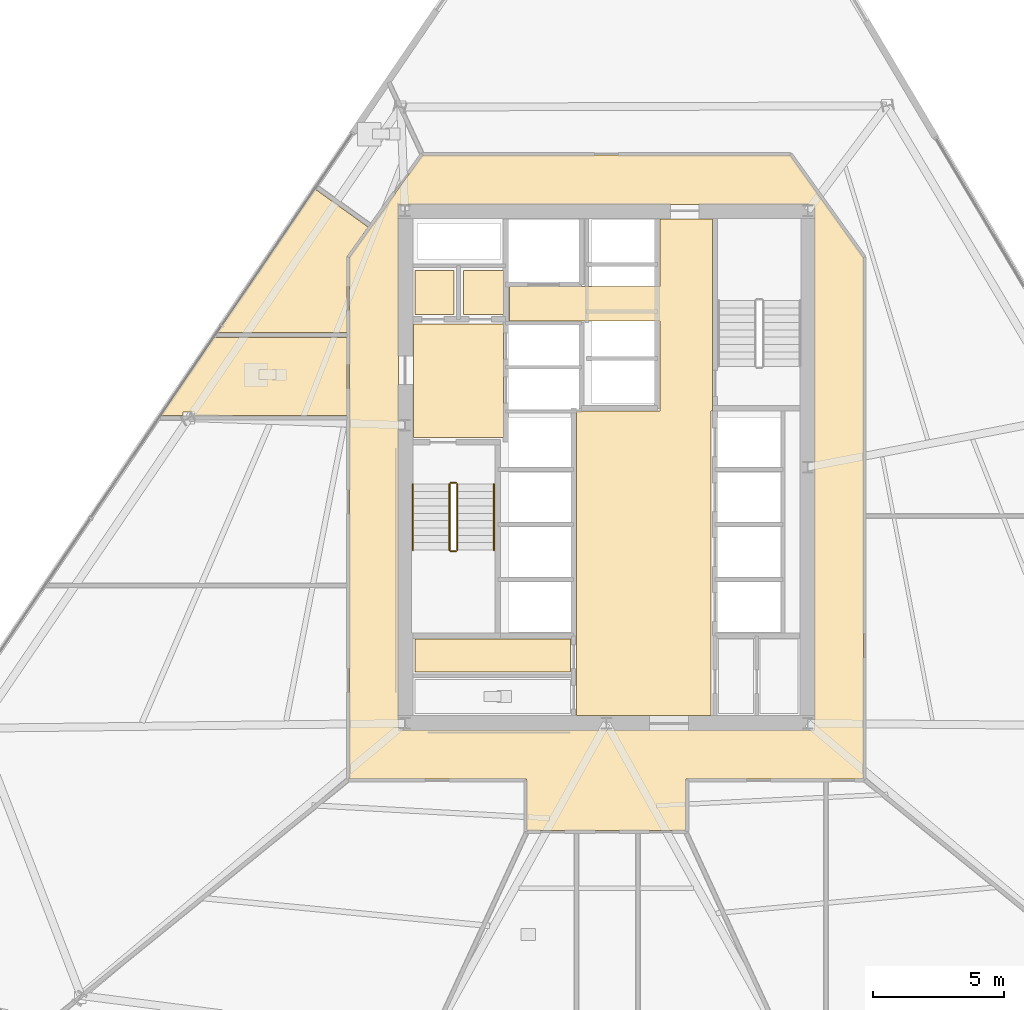
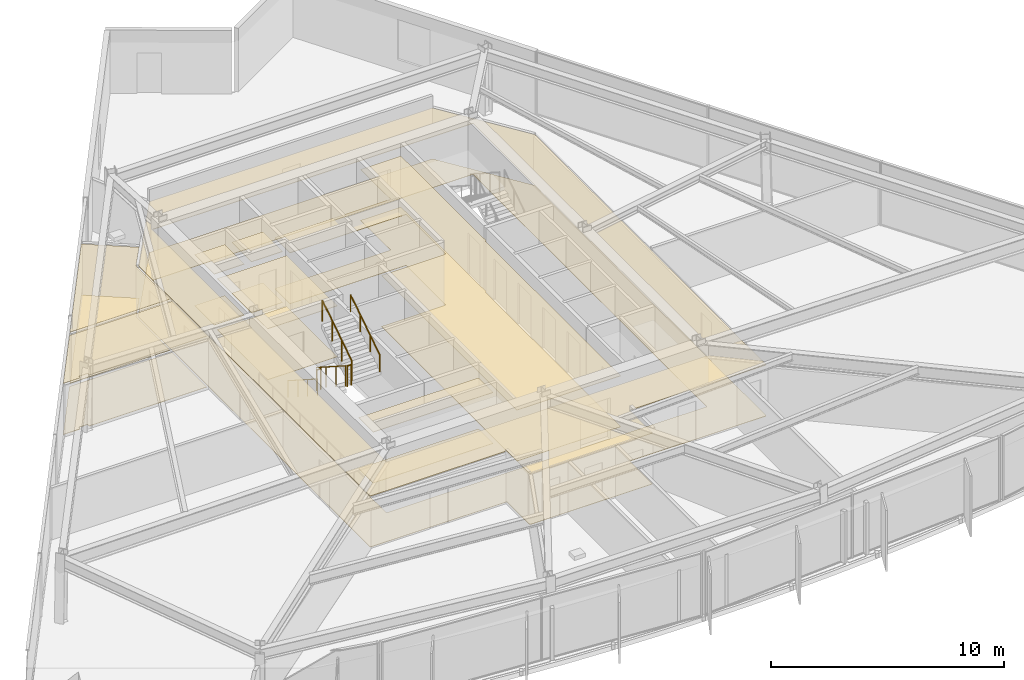
# One storey, part 14 of 18: 16 coverings, 6 railings.
"""IFC4 building model written with IfcOpenShell, lengths in metres."""

from ifc_helpers import new_model, si_unit, direction, frame, origin, origin_2d, place, context, subcontext, project, spatial, polyline, circle, outline, extrude, material, layer, layer_set, type_object, element, save


model = new_model("IFC4")

# Units and contexts
model_context = context("Model", 3, precision=1e-05, world=origin(), true_north=direction((0.0, 1.0)))
body_context = subcontext(model_context, "Body", "Model", "MODEL_VIEW")
ifc_project = project(units=[si_unit("LENGTHUNIT", "METRE"), si_unit("AREAUNIT", "SQUARE_METRE"), si_unit("VOLUMEUNIT", "CUBIC_METRE"), si_unit("PLANEANGLEUNIT", "RADIAN"), si_unit("MASSUNIT", "GRAM", prefix="KILO")], contexts=[model_context])

# Site, building, storey
site_placement = place(None, origin())
site = spatial("IfcSite", under=ifc_project, at=site_placement, CompositionType="ELEMENT")
building_placement = place(site_placement, origin())
building = spatial("IfcBuilding", under=site, at=building_placement, Name="Savorim Split Tower", CompositionType="ELEMENT")
storey_placement = place(building_placement, frame((0.0, 0.0, 37.199951171875)))
storey = spatial("IfcBuildingStorey", under=building, at=storey_placement, Name="L09", CompositionType="ELEMENT", Elevation=37.199951171875)

# Coverings
ifc_material_1 = material(Name="Mineral Fibre Acoustic Ceiling")
ifc_layer_1 = layer(ifc_material_1, 0.02490234375)
ifc_layer_set_1 = layer_set([ifc_layer_1], Name="COV-CEIL-25")
covering_type_1 = type_object("IfcCoveringType", Name="COV-CEIL-25", PredefinedType="CEILING", material=ifc_layer_set_1)
covering_1_placement = place(storey_placement, frame((0.0, 0.0, 2.670166015625)))
element("IfcCovering", 1, at=covering_1_placement, inside=storey, type_object=covering_type_1, Name="L09 Firefighting Lift Lobby Acoustic Ceiling", PredefinedType="CEILING", context=body_context, shape_type="SweptSolid", body=[
    extrude(outline(polyline([(-7.3798828125, 5.8701171875), (-7.3798828125, 1.530029296875), (-3.929931640625, 1.530029296875), (-3.929931640625, 5.8701171875), (-7.3798828125, 5.8701171875)])), origin(), (0.0, 0.0, 1.0), 0.02490234375),
])
covering_2_placement = place(storey_placement, frame((0.0, 0.0, 2.670166015625)))
element("IfcCovering", 2, at=covering_2_placement, inside=storey, type_object=covering_type_1, Name="L09 Electrical Riser Acoustic Ceiling", PredefinedType="CEILING", context=body_context, shape_type="SweptSolid", body=[
    extrude(outline(polyline([(-7.320068359375, 7.919921875), (-7.320068359375, 6.22998046875), (-5.830078125, 6.22998046875), (-5.830078125, 7.919921875), (-7.320068359375, 7.919921875)])), origin(), (0.0, 0.0, 1.0), 0.02490234375),
])
covering_3_placement = place(storey_placement, frame((0.0, 0.0, 2.670166015625)))
element("IfcCovering", 3, at=covering_3_placement, inside=storey, type_object=covering_type_1, Name="L09 Telecom Riser Acoustic Ceiling", PredefinedType="CEILING", context=body_context, shape_type="SweptSolid", body=[
    extrude(outline(polyline([(-5.469970703125, 7.919921875), (-5.469970703125, 6.22998046875), (-3.929931640625, 6.22998046875), (-3.929931640625, 7.919921875), (-5.469970703125, 7.919921875)])), origin(), (0.0, 0.0, 1.0), 0.02490234375),
])
covering_4_placement = place(storey_placement, frame((0.0, 0.0, 2.670166015625)))
element("IfcCovering", 4, at=covering_4_placement, inside=storey, type_object=covering_type_1, Name="L09 Lift Lobby Acoustic Ceiling", PredefinedType="CEILING", context=body_context, shape_type="SweptSolid", body=[
    extrude(outline(polyline([(2.050048828125, 2.550048828125), (-1.14990234375, 2.550048828125), (-1.14990234375, -9.10009765625), (4.0, -9.10009765625), (4.0, 2.550048828125), (4.050048828125, 2.550048828125), (4.050048828125, 5.97998046875), (4.050048828125, 7.300048828125), (4.050048828125, 9.8798828125), (2.050048828125, 9.8798828125), (2.050048828125, 7.300048828125), (-3.699951171875, 7.300048828125), (-3.699951171875, 5.97998046875), (2.050048828125, 5.97998046875), (2.050048828125, 2.550048828125)])), origin(), (0.0, 0.0, 1.0), 0.02490234375),
])
covering_5_placement = place(storey_placement, frame((0.0, 0.0, 2.670166015625)))
element("IfcCovering", 5, at=covering_5_placement, inside=storey, type_object=covering_type_1, Name="L09 Cleaning Store Acoustic Ceiling", PredefinedType="CEILING", context=body_context, shape_type="SweptSolid", body=[
    extrude(outline(polyline([(-7.320068359375, -6.179931640625), (-7.320068359375, -7.43994140625), (-1.3798828125, -7.43994140625), (-1.3798828125, -6.179931640625), (-7.320068359375, -6.179931640625)])), origin(), (0.0, 0.0, 1.0), 0.02490234375),
])
covering_6_placement = place(storey_placement, frame((0.0, 0.0, 2.670166015625)))
element("IfcCovering", 6, at=covering_6_placement, inside=storey, type_object=covering_type_1, Name="L09 Corridor Acoustic Ceiling", PredefinedType="CEILING", context=body_context, shape_type="SweptSolid", body=[
    extrude(outline(polyline([(7.009521484375, 12.3291015625), (7.004638671875, 12.329833984375), (7.0, 12.330078125), (-7.0, 12.330078125), (-7.004638671875, 12.329833984375), (-7.009521484375, 12.3291015625), (-7.013916015625, 12.327880859375), (-7.0185546875, 12.326416015625), (-7.022705078125, 12.324462890625), (-7.027099609375, 12.322021484375), (-7.03076171875, 12.3193359375), (-7.034423828125, 12.31640625), (-7.03759765625, 12.312744140625), (-7.04052734375, 12.30908203125), (-9.820556640625, 8.42919921875), (-9.823486328125, 8.4248046875), (-9.82568359375, 8.420166015625), (-9.82763671875, 8.415283203125), (-9.828857421875, 8.410400390625), (-9.82958984375, 8.4052734375), (-9.830078125, 8.39990234375), (-9.830078125, -11.47998046875), (-9.829833984375, -11.48486328125), (-9.8291015625, -11.48974609375), (-9.827880859375, -11.494384765625), (-9.826171875, -11.4990234375), (-9.82421875, -11.503662109375), (-9.821533203125, -11.5078125), (-9.818603515625, -11.51171875), (-9.8154296875, -11.515380859375), (-9.811767578125, -11.518798828125), (-9.807861328125, -11.521484375), (-9.8037109375, -11.524169921875), (-9.799072265625, -11.526123046875), (-9.79443359375, -11.52783203125), (-9.789794921875, -11.529052734375), (-9.784912109375, -11.52978515625), (-9.780029296875, -11.530029296875), (-3.050048828125, -11.530029296875), (-3.050048828125, -13.449951171875), (-3.0498046875, -13.454833984375), (-3.049072265625, -13.459716796875), (-3.0478515625, -13.464599609375), (-3.046142578125, -13.468994140625), (-3.044189453125, -13.4736328125), (-3.04150390625, -13.477783203125), (-3.038818359375, -13.481689453125), (-3.035400390625, -13.4853515625), (-3.03173828125, -13.48876953125), (-3.02783203125, -13.49169921875), (-3.023681640625, -13.494140625), (-3.01904296875, -13.49609375), (-3.014404296875, -13.497802734375), (-3.009765625, -13.4990234375), (-3.0048828125, -13.499755859375), (-3.0, -13.5), (3.0, -13.5), (3.0048828125, -13.499755859375), (3.009765625, -13.4990234375), (3.014404296875, -13.497802734375), (3.01904296875, -13.49609375), (3.023681640625, -13.494140625), (3.02783203125, -13.49169921875), (3.03173828125, -13.48876953125), (3.035400390625, -13.4853515625), (3.038818359375, -13.481689453125), (3.04150390625, -13.477783203125), (3.044189453125, -13.4736328125), (3.046142578125, -13.468994140625), (3.0478515625, -13.464599609375), (3.049072265625, -13.459716796875), (3.0498046875, -13.454833984375), (3.050048828125, -13.449951171875), (3.050048828125, -11.530029296875), (9.780029296875, -11.530029296875), (9.784912109375, -11.52978515625), (9.789794921875, -11.529052734375), (9.79443359375, -11.52783203125), (9.799072265625, -11.526123046875), (9.8037109375, -11.524169921875), (9.807861328125, -11.521484375), (9.811767578125, -11.518798828125), (9.8154296875, -11.515380859375), (9.818603515625, -11.51171875), (9.821533203125, -11.5078125), (9.82421875, -11.503662109375), (9.826171875, -11.4990234375), (9.827880859375, -11.494384765625), (9.8291015625, -11.48974609375), (9.829833984375, -11.48486328125), (9.830078125, -11.47998046875), (9.830078125, 8.39990234375), (9.82958984375, 8.4052734375), (9.828857421875, 8.410400390625), (9.82763671875, 8.415283203125), (9.82568359375, 8.420166015625), (9.823486328125, 8.4248046875), (9.820556640625, 8.42919921875), (7.04052734375, 12.30908203125), (7.03759765625, 12.312744140625), (7.034423828125, 12.31640625), (7.03076171875, 12.3193359375), (7.027099609375, 12.322021484375), (7.022705078125, 12.324462890625), (7.0185546875, 12.326416015625), (7.013916015625, 12.327880859375), (7.009521484375, 12.3291015625)]), holes=[polyline([(-7.949951171875, 10.449951171875), (-7.949951171875, -9.64990234375), (7.949951171875, -9.64990234375), (7.949951171875, 10.449951171875), (-7.949951171875, 10.449951171875)])]), origin(), (0.0, 0.0, 1.0), 0.02490234375),
])
covering_7_placement = place(storey_placement, frame((0.0, 0.0, 2.670166015625)))
element("IfcCovering", 7, at=covering_7_placement, inside=storey, type_object=covering_type_1, Name="L09 Co-Living Bedroom Acoustic Ceiling", PredefinedType="CEILING", context=body_context, shape_type="SweptSolid", body=[
    extrude(outline(polyline([(-9.908203125, 8.456298828125), (-9.901611328125, 8.46923828125), (-9.893798828125, 8.4814453125), (-9.109130859375, 9.57666015625), (-11.148681640625, 11.037841796875), (-14.8818359375, 5.550048828125), (-9.919921875, 5.550048828125), (-9.919921875, 8.39990234375), (-9.919189453125, 8.41455078125), (-9.9169921875, 8.4287109375), (-9.913330078125, 8.44287109375), (-9.908203125, 8.456298828125)])), origin(), (0.0, 0.0, 1.0), 0.02490234375),
])
covering_8_placement = place(storey_placement, frame((0.0, 0.0, 2.670166015625)))
element("IfcCovering", 8, at=covering_8_placement, inside=storey, type_object=covering_type_1, Name="L09 Shared Bathroom Acoustic Ceiling", PredefinedType="CEILING", context=body_context, shape_type="SweptSolid", body=[
    extrude(outline(polyline([(-15.756591796875, 2.506591796875), (-15.756591796875, 2.368408203125), (-9.919921875, 2.368408203125), (-9.919921875, 5.360107421875), (-15.010986328125, 5.360107421875), (-17.046142578125, 2.368408203125), (-16.192626953125, 2.368408203125), (-16.192626953125, 2.506591796875), (-15.756591796875, 2.506591796875)])), origin(), (0.0, 0.0, 1.0), 0.02490234375),
])
ifc_material_2 = material(Name="Porcelain Stoneware Flooring", Category="masonry")
ifc_layer_2 = layer(ifc_material_2, 0.02001953125)
ifc_layer_set_2 = layer_set([ifc_layer_2], Name="COV-FLOR-20")
covering_type_2 = type_object("IfcCoveringType", Name="COV-FLOR-20", PredefinedType="FLOORING", material=ifc_layer_set_2)
covering_9_placement = place(storey_placement, origin())
element("IfcCovering", 9, at=covering_9_placement, inside=storey, type_object=covering_type_2, Name="L09 Firefighting Lift Lobby Porcelain Flooring", PredefinedType="FLOORING", context=body_context, shape_type="SweptSolid", body=[
    extrude(outline(polyline([(-7.3798828125, 5.8701171875), (-7.3798828125, 1.530029296875), (-3.929931640625, 1.530029296875), (-3.929931640625, 5.8701171875), (-7.3798828125, 5.8701171875)])), origin(), (0.0, 0.0, 1.0), 0.02001953125),
])
covering_10_placement = place(storey_placement, origin())
element("IfcCovering", 10, at=covering_10_placement, inside=storey, type_object=covering_type_2, Name="L09 Electrical Riser Porcelain Flooring", PredefinedType="FLOORING", context=body_context, shape_type="SweptSolid", body=[
    extrude(outline(polyline([(-7.320068359375, 7.919921875), (-7.320068359375, 6.22998046875), (-5.830078125, 6.22998046875), (-5.830078125, 7.919921875), (-7.320068359375, 7.919921875)])), origin(), (0.0, 0.0, 1.0), 0.02001953125),
])
covering_11_placement = place(storey_placement, origin())
element("IfcCovering", 11, at=covering_11_placement, inside=storey, type_object=covering_type_2, Name="L09 Telecom Riser Porcelain Flooring", PredefinedType="FLOORING", context=body_context, shape_type="SweptSolid", body=[
    extrude(outline(polyline([(-5.469970703125, 7.919921875), (-5.469970703125, 6.22998046875), (-3.929931640625, 6.22998046875), (-3.929931640625, 7.919921875), (-5.469970703125, 7.919921875)])), origin(), (0.0, 0.0, 1.0), 0.02001953125),
])
covering_12_placement = place(storey_placement, origin())
element("IfcCovering", 12, at=covering_12_placement, inside=storey, type_object=covering_type_2, Name="L09 Lift Lobby Porcelain Flooring", PredefinedType="FLOORING", context=body_context, shape_type="SweptSolid", body=[
    extrude(outline(polyline([(2.050048828125, 2.550048828125), (-1.14990234375, 2.550048828125), (-1.14990234375, -9.10009765625), (4.0, -9.10009765625), (4.0, 2.550048828125), (4.050048828125, 2.550048828125), (4.050048828125, 5.97998046875), (4.050048828125, 7.300048828125), (4.050048828125, 9.8798828125), (2.050048828125, 9.8798828125), (2.050048828125, 7.300048828125), (-3.699951171875, 7.300048828125), (-3.699951171875, 5.97998046875), (2.050048828125, 5.97998046875), (2.050048828125, 2.550048828125)])), origin(), (0.0, 0.0, 1.0), 0.02001953125),
])
covering_13_placement = place(storey_placement, origin())
element("IfcCovering", 13, at=covering_13_placement, inside=storey, type_object=covering_type_2, Name="L09 Cleaning Store Porcelain Flooring", PredefinedType="FLOORING", context=body_context, shape_type="SweptSolid", body=[
    extrude(outline(polyline([(-7.320068359375, -6.179931640625), (-7.320068359375, -7.43994140625), (-1.3798828125, -7.43994140625), (-1.3798828125, -6.179931640625), (-7.320068359375, -6.179931640625)])), origin(), (0.0, 0.0, 1.0), 0.02001953125),
])
covering_14_placement = place(storey_placement, origin())
element("IfcCovering", 14, at=covering_14_placement, inside=storey, type_object=covering_type_2, Name="L09 Corridor Porcelain Flooring", PredefinedType="FLOORING", context=body_context, shape_type="SweptSolid", body=[
    extrude(outline(polyline([(7.009521484375, 12.3291015625), (7.004638671875, 12.329833984375), (7.0, 12.330078125), (-7.0, 12.330078125), (-7.004638671875, 12.329833984375), (-7.009521484375, 12.3291015625), (-7.013916015625, 12.327880859375), (-7.0185546875, 12.326416015625), (-7.022705078125, 12.324462890625), (-7.027099609375, 12.322021484375), (-7.03076171875, 12.3193359375), (-7.034423828125, 12.31640625), (-7.03759765625, 12.312744140625), (-7.04052734375, 12.30908203125), (-9.820556640625, 8.42919921875), (-9.823486328125, 8.4248046875), (-9.82568359375, 8.420166015625), (-9.82763671875, 8.415283203125), (-9.828857421875, 8.410400390625), (-9.82958984375, 8.4052734375), (-9.830078125, 8.39990234375), (-9.830078125, -11.47998046875), (-9.829833984375, -11.48486328125), (-9.8291015625, -11.48974609375), (-9.827880859375, -11.494384765625), (-9.826171875, -11.4990234375), (-9.82421875, -11.503662109375), (-9.821533203125, -11.5078125), (-9.818603515625, -11.51171875), (-9.8154296875, -11.515380859375), (-9.811767578125, -11.518798828125), (-9.807861328125, -11.521484375), (-9.8037109375, -11.524169921875), (-9.799072265625, -11.526123046875), (-9.79443359375, -11.52783203125), (-9.789794921875, -11.529052734375), (-9.784912109375, -11.52978515625), (-9.780029296875, -11.530029296875), (-3.050048828125, -11.530029296875), (-3.050048828125, -13.449951171875), (-3.0498046875, -13.454833984375), (-3.049072265625, -13.459716796875), (-3.0478515625, -13.464599609375), (-3.046142578125, -13.468994140625), (-3.044189453125, -13.4736328125), (-3.04150390625, -13.477783203125), (-3.038818359375, -13.481689453125), (-3.035400390625, -13.4853515625), (-3.03173828125, -13.48876953125), (-3.02783203125, -13.49169921875), (-3.023681640625, -13.494140625), (-3.01904296875, -13.49609375), (-3.014404296875, -13.497802734375), (-3.009765625, -13.4990234375), (-3.0048828125, -13.499755859375), (-3.0, -13.5), (3.0, -13.5), (3.0048828125, -13.499755859375), (3.009765625, -13.4990234375), (3.014404296875, -13.497802734375), (3.01904296875, -13.49609375), (3.023681640625, -13.494140625), (3.02783203125, -13.49169921875), (3.03173828125, -13.48876953125), (3.035400390625, -13.4853515625), (3.038818359375, -13.481689453125), (3.04150390625, -13.477783203125), (3.044189453125, -13.4736328125), (3.046142578125, -13.468994140625), (3.0478515625, -13.464599609375), (3.049072265625, -13.459716796875), (3.0498046875, -13.454833984375), (3.050048828125, -13.449951171875), (3.050048828125, -11.530029296875), (9.780029296875, -11.530029296875), (9.784912109375, -11.52978515625), (9.789794921875, -11.529052734375), (9.79443359375, -11.52783203125), (9.799072265625, -11.526123046875), (9.8037109375, -11.524169921875), (9.807861328125, -11.521484375), (9.811767578125, -11.518798828125), (9.8154296875, -11.515380859375), (9.818603515625, -11.51171875), (9.821533203125, -11.5078125), (9.82421875, -11.503662109375), (9.826171875, -11.4990234375), (9.827880859375, -11.494384765625), (9.8291015625, -11.48974609375), (9.829833984375, -11.48486328125), (9.830078125, -11.47998046875), (9.830078125, 8.39990234375), (9.82958984375, 8.4052734375), (9.828857421875, 8.410400390625), (9.82763671875, 8.415283203125), (9.82568359375, 8.420166015625), (9.823486328125, 8.4248046875), (9.820556640625, 8.42919921875), (7.04052734375, 12.30908203125), (7.03759765625, 12.312744140625), (7.034423828125, 12.31640625), (7.03076171875, 12.3193359375), (7.027099609375, 12.322021484375), (7.022705078125, 12.324462890625), (7.0185546875, 12.326416015625), (7.013916015625, 12.327880859375), (7.009521484375, 12.3291015625)]), holes=[polyline([(-7.949951171875, 10.449951171875), (-7.949951171875, -9.64990234375), (7.949951171875, -9.64990234375), (7.949951171875, 10.449951171875), (-7.949951171875, 10.449951171875)])]), origin(), (0.0, 0.0, 1.0), 0.02001953125),
])
covering_15_placement = place(storey_placement, origin())
element("IfcCovering", 15, at=covering_15_placement, inside=storey, type_object=covering_type_2, Name="L09 Co-Living Bedroom Porcelain Flooring", PredefinedType="FLOORING", context=body_context, shape_type="SweptSolid", body=[
    extrude(outline(polyline([(-9.908203125, 8.456298828125), (-9.901611328125, 8.46923828125), (-9.893798828125, 8.4814453125), (-9.109130859375, 9.57666015625), (-11.148681640625, 11.037841796875), (-14.8818359375, 5.550048828125), (-9.919921875, 5.550048828125), (-9.919921875, 8.39990234375), (-9.919189453125, 8.41455078125), (-9.9169921875, 8.4287109375), (-9.913330078125, 8.44287109375), (-9.908203125, 8.456298828125)])), origin(), (0.0, 0.0, 1.0), 0.02001953125),
])
covering_16_placement = place(storey_placement, origin())
element("IfcCovering", 16, at=covering_16_placement, inside=storey, type_object=covering_type_2, Name="L09 Shared Bathroom Porcelain Flooring", PredefinedType="FLOORING", context=body_context, shape_type="SweptSolid", body=[
    extrude(outline(polyline([(-15.756591796875, 2.506591796875), (-15.756591796875, 2.368408203125), (-9.919921875, 2.368408203125), (-9.919921875, 5.360107421875), (-15.010986328125, 5.360107421875), (-17.046142578125, 2.368408203125), (-16.192626953125, 2.368408203125), (-16.192626953125, 2.506591796875), (-15.756591796875, 2.506591796875)])), origin(), (0.0, 0.0, 1.0), 0.02001953125),
])

# Railings
ifc_material_3 = material(Name="Galvanised Painted Steel Balustrade", Category="steel")
railing_type_1 = type_object("IfcRailingType", Name="RLG-HR-900", PredefinedType="HANDRAIL", material=ifc_material_3)
railing_1_placement = place(storey_placement, frame((-7.39990234375, -0.25, 0.179931640625)))
element("IfcRailing", 17, at=railing_1_placement, inside=storey, type_object=railing_type_1, Name="L09 ST-1 stair handrail 1", PredefinedType="HANDRAIL", context=body_context, shape_type="SweptSolid", body=[
    extrude(circle(Radius=0.02392578125, at=origin_2d()), frame((0.0, 0.0, 0.8759765625), z_axis=(0.0, -0.841162588446, 0.540782303519), x_axis=(1.0, 0.0, 0.0)), (0.0, 0.0, 1.0), 2.995849609375),
    extrude(circle(Radius=0.02099609375, at=origin_2d()), origin(), (0.0, 0.0, 1.0), 0.851806640625),
    extrude(circle(Radius=0.02099609375, at=origin_2d()), frame((0.0, -0.840087890625, 0.5400390625)), (0.0, 0.0, 1.0), 0.851806640625),
    extrude(circle(Radius=0.02099609375, at=origin_2d()), frame((0.0, -1.679931640625, 1.080078125)), (0.0, 0.0, 1.0), 0.851806640625),
    extrude(circle(Radius=0.02099609375, at=origin_2d()), frame((0.0, -2.52001953125, 1.6201171875)), (0.0, 0.0, 1.0), 0.851806640625),
])
railing_2_placement = place(storey_placement, frame((-4.300048828125, -2.77001953125, 1.97998046875)))
element("IfcRailing", 18, at=railing_2_placement, inside=storey, type_object=railing_type_1, Name="L09 ST-1 stair handrail 2", PredefinedType="HANDRAIL", context=body_context, shape_type="SweptSolid", body=[
    extrude(circle(Radius=0.02392578125, at=origin_2d()), frame((0.0, 0.0, 0.8759765625), z_axis=(0.0, 0.841162588446, 0.540782303519), x_axis=(-1.0, 0.0, 0.0)), (0.0, 0.0, 1.0), 2.995849609375),
    extrude(circle(Radius=0.02099609375, at=origin_2d()), origin(), (0.0, 0.0, 1.0), 0.851806640625),
    extrude(circle(Radius=0.02099609375, at=origin_2d()), frame((0.0, 0.840087890625, 0.5400390625)), (0.0, 0.0, 1.0), 0.851806640625),
    extrude(circle(Radius=0.02099609375, at=origin_2d()), frame((0.0, 1.679931640625, 1.080078125)), (0.0, 0.0, 1.0), 0.851806640625),
    extrude(circle(Radius=0.02099609375, at=origin_2d()), frame((0.0, 2.52001953125, 1.6201171875)), (0.0, 0.0, 1.0), 0.851806640625),
])
railing_type_2 = type_object("IfcRailingType", Name="RLG-STG-1100", PredefinedType="BALUSTRADE", material=ifc_material_3)
railing_3_placement = place(storey_placement, frame((-6.0, -0.25, 0.179931640625)))
element("IfcRailing", 19, at=railing_3_placement, inside=storey, type_object=railing_type_2, Name="L09 ST-1 stair guard 1", PredefinedType="BALUSTRADE", context=body_context, shape_type="SweptSolid", body=[
    extrude(circle(Radius=0.02392578125, at=origin_2d()), frame((0.0, 0.0, 1.076171875), z_axis=(0.0, -0.841162588446, 0.540782303519), x_axis=(1.0, 0.0, 0.0)), (0.0, 0.0, 1.0), 2.995849609375),
    extrude(circle(Radius=0.02099609375, at=origin_2d()), origin(), (0.0, 0.0, 1.0), 1.052001953125),
    extrude(circle(Radius=0.02099609375, at=origin_2d()), frame((0.0, -0.840087890625, 0.5400390625)), (0.0, 0.0, 1.0), 1.052001953125),
    extrude(circle(Radius=0.02099609375, at=origin_2d()), frame((0.0, -1.679931640625, 1.080078125)), (0.0, 0.0, 1.0), 1.052001953125),
    extrude(circle(Radius=0.02099609375, at=origin_2d()), frame((0.0, -2.52001953125, 1.6201171875)), (0.0, 0.0, 1.0), 1.052001953125),
])
railing_4_placement = place(storey_placement, frame((-5.949951171875, -2.820068359375, 1.800048828125)))
element("IfcRailing", 20, at=railing_4_placement, inside=storey, type_object=railing_type_2, Name="L09 ST-1 stair guard 2", PredefinedType="BALUSTRADE", context=body_context, shape_type="SweptSolid", body=[
    extrude(circle(Radius=0.02392578125, at=origin_2d()), frame((0.0, 0.0, 1.076171875), z_axis=(1.0, 0.0, 0.0), x_axis=(0.0, 1.0, 0.0)), (0.0, 0.0, 1.0), 0.199951171875),
    extrude(circle(Radius=0.02099609375, at=origin_2d()), origin(), (0.0, 0.0, 1.0), 1.052001953125),
    extrude(circle(Radius=0.02099609375, at=origin_2d()), frame((0.199951171875, 0.0, 0.0)), (0.0, 0.0, 1.0), 1.052001953125),
])
railing_5_placement = place(storey_placement, frame((-5.699951171875, -2.77001953125, 1.97998046875)))
element("IfcRailing", 21, at=railing_5_placement, inside=storey, type_object=railing_type_2, Name="L09 ST-1 stair guard 3", PredefinedType="BALUSTRADE", context=body_context, shape_type="SweptSolid", body=[
    extrude(circle(Radius=0.02392578125, at=origin_2d()), frame((0.0, 0.0, 1.076171875), z_axis=(0.0, 0.841162588446, 0.540782303519), x_axis=(-1.0, 0.0, 0.0)), (0.0, 0.0, 1.0), 2.995849609375),
    extrude(circle(Radius=0.02099609375, at=origin_2d()), origin(), (0.0, 0.0, 1.0), 1.052001953125),
    extrude(circle(Radius=0.02099609375, at=origin_2d()), frame((0.0, 0.840087890625, 0.5400390625)), (0.0, 0.0, 1.0), 1.052001953125),
    extrude(circle(Radius=0.02099609375, at=origin_2d()), frame((0.0, 1.679931640625, 1.080078125)), (0.0, 0.0, 1.0), 1.052001953125),
    extrude(circle(Radius=0.02099609375, at=origin_2d()), frame((0.0, 2.52001953125, 1.6201171875)), (0.0, 0.0, 1.0), 1.052001953125),
])
railing_6_placement = place(storey_placement, frame((-5.949951171875, -0.199951171875, 0.0)))
element("IfcRailing", 22, at=railing_6_placement, inside=storey, type_object=railing_type_2, Name="L09 ST-1 stair guard 4", PredefinedType="BALUSTRADE", context=body_context, shape_type="SweptSolid", body=[
    extrude(circle(Radius=0.02392578125, at=origin_2d()), frame((0.0, 0.0, 1.076171875), z_axis=(1.0, 0.0, 0.0), x_axis=(0.0, 1.0, 0.0)), (0.0, 0.0, 1.0), 0.199951171875),
    extrude(circle(Radius=0.02099609375, at=origin_2d()), origin(), (0.0, 0.0, 1.0), 1.052001953125),
    extrude(circle(Radius=0.02099609375, at=origin_2d()), frame((0.199951171875, 0.0, 0.0)), (0.0, 0.0, 1.0), 1.052001953125),
])

save(model, "model.ifc")
